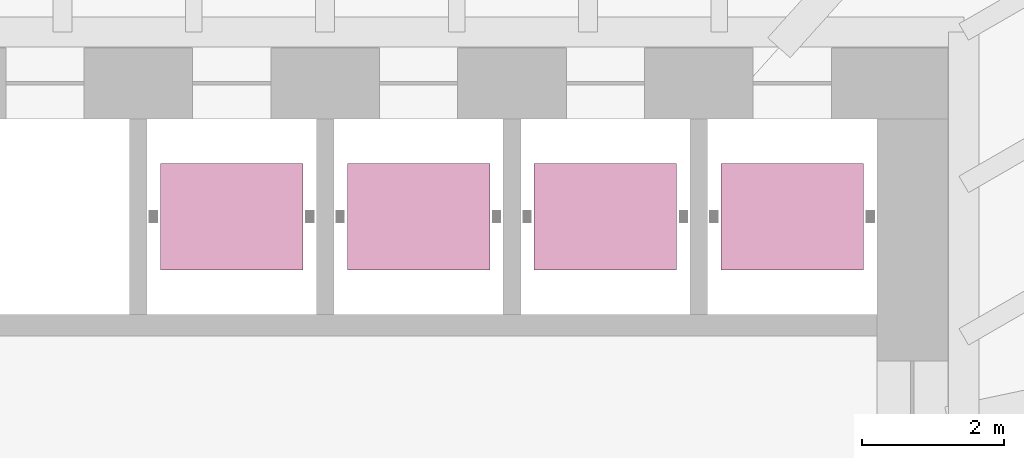
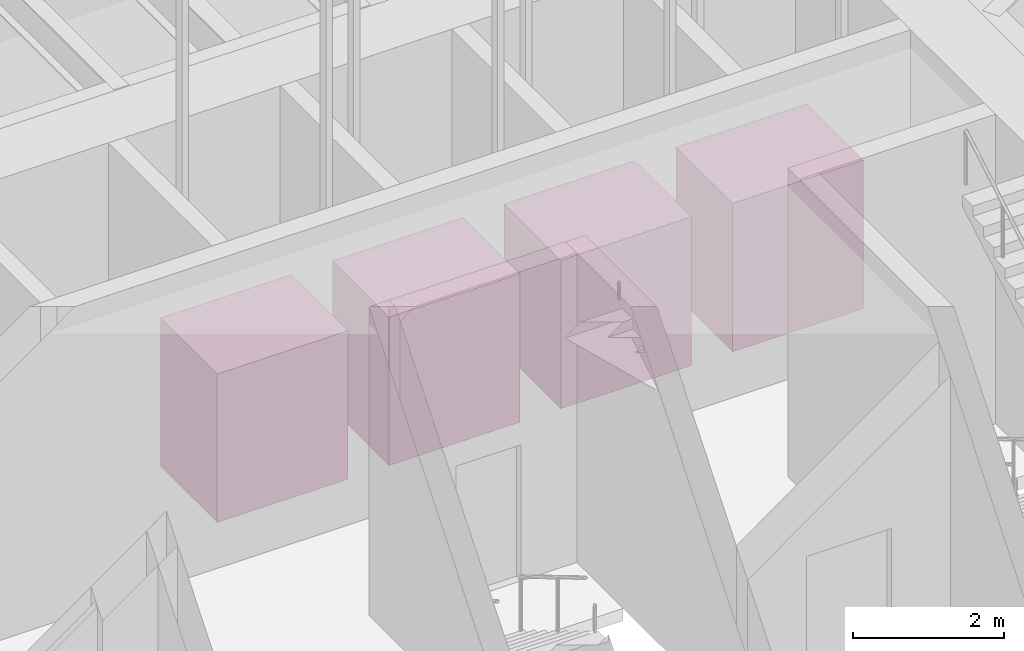
# One storey, part 227 of 228: 4 transport elements.
"""IFC4 building model written with IfcOpenShell, lengths in metres."""

from ifc_helpers import new_model, si_unit, direction, frame, origin, origin_2d, place, context, subcontext, project, spatial, rectangle, extrude, material, type_object, element, save


model = new_model("IFC4")

# Units and contexts
model_context = context("Model", 3, precision=1e-05, world=origin(), true_north=direction((0.0, 1.0)))
body_context = subcontext(model_context, "Body", "Model", "MODEL_VIEW")
ifc_project = project(units=[si_unit("LENGTHUNIT", "METRE"), si_unit("AREAUNIT", "SQUARE_METRE"), si_unit("VOLUMEUNIT", "CUBIC_METRE"), si_unit("PLANEANGLEUNIT", "RADIAN"), si_unit("MASSUNIT", "GRAM", prefix="KILO")], contexts=[model_context])

# Site, building, storey
site_placement = place(None, origin())
site = spatial("IfcSite", under=ifc_project, at=site_placement, CompositionType="ELEMENT")
building_placement = place(site_placement, origin())
building = spatial("IfcBuilding", under=site, at=building_placement, Name="Sandreach Pilgrim Tower", CompositionType="ELEMENT")
storey_placement = place(building_placement, frame((0.0, 0.0, 178.199951171875)))
storey = spatial("IfcBuildingStorey", under=building, at=storey_placement, Name="L44", CompositionType="ELEMENT", Elevation=178.199951171875)

# Transport elements
ifc_material = material(Name="Steel lift car, stainless steel finish", Category="steel")
transport_element_type = type_object("IfcTransportElementType", Name="Passenger lift car", PredefinedType="ELEVATOR", material=ifc_material)
for number, where, z_axis, x_axis, name in (
    (1, (-1.3125, 4.72509765625, 0.0), (0.0, 0.0, 1.0), (1.0, 0.0, 0.0), "Lift Z3A"),
    (2, (1.3125, 4.72509765625, 0.0), (0.0, 0.0, 1.0), (1.0, 0.0, 0.0), "Lift Z3B"),
    (3, (3.9375, 4.72509765625, 0.0), (0.0, 0.0, 1.0), (1.0, 0.0, 0.0), "Lift Z3C"),
    (4, (6.5625, 4.72509765625, 0.0), (0.0, 0.0, 1.0), (1.0, 0.0, 0.0), "Lift Z3D"),
):
    element("IfcTransportElement", number, at=place(storey_placement, frame(where, z_axis=z_axis, x_axis=x_axis)), inside=storey, type_object=transport_element_type, Name=name, PredefinedType="ELEVATOR", context=body_context, shape_type="SweptSolid", body=[
        extrude(rectangle(XDim=2.0, YDim=1.5, at=origin_2d()), origin(), (0.0, 0.0, 1.0), 2.39990234375),
    ])

save(model, "model.ifc")
